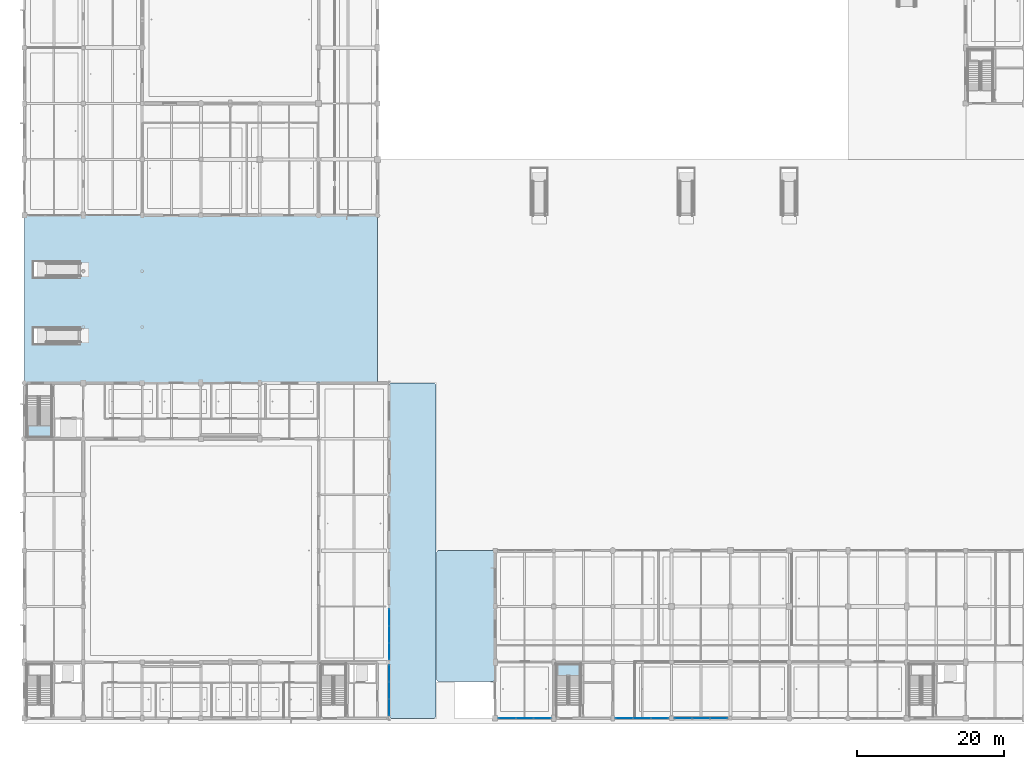
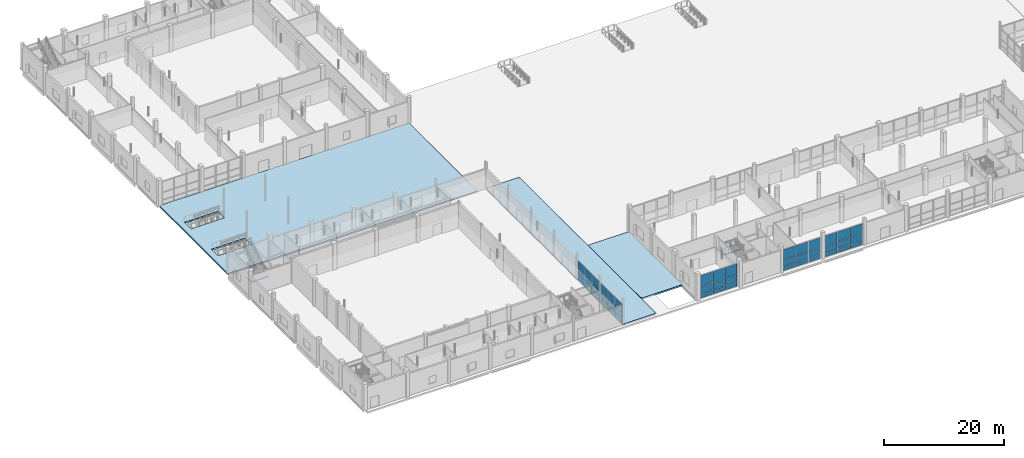
# One storey, part 49 of 126: 45 plates, 5 slabs, 7 elements without a shape of their own.
"""IFC4 building model written with IfcOpenShell, lengths in metres."""

from ifc_helpers import new_model, si_unit, direction, frame, origin, origin_2d, place, context, subcontext, project, spatial, polyline, rectangle, outline, extrude, material, layer, layer_set, type_object, element, aggregate, save


model = new_model("IFC4")

# Units and contexts
model_context = context("Model", 3, precision=1e-05, world=origin(), true_north=direction((0.0, 1.0)))
body_context = subcontext(model_context, "Body", "Model", "MODEL_VIEW")
ifc_project = project(units=[si_unit("LENGTHUNIT", "METRE"), si_unit("AREAUNIT", "SQUARE_METRE"), si_unit("VOLUMEUNIT", "CUBIC_METRE"), si_unit("PLANEANGLEUNIT", "RADIAN"), si_unit("MASSUNIT", "GRAM", prefix="KILO")], contexts=[model_context])

# Site, building, storey
site_placement = place(None, origin())
site = spatial("IfcSite", under=ifc_project, at=site_placement, CompositionType="ELEMENT")
building_placement = place(site_placement, origin())
building = spatial("IfcBuilding", under=site, at=building_placement, Name="Khelvaren Railside Concert Hall", CompositionType="ELEMENT")
storey_placement = place(building_placement, origin())
storey = spatial("IfcBuildingStorey", under=building, at=storey_placement, Name="L00", CompositionType="ELEMENT", Elevation=0.0)

# Curtain wall, plates
ifc_material_1 = material(Name="Triple-glazed solar-control glass", Category="glass")
curtain_wall_type_1 = type_object("IfcCurtainWallType", Name="CW88", PredefinedType="USERDEFINED", material=ifc_material_1)
curtain_wall_1_placement = place(storey_placement, origin())
curtain_wall_1 = element("IfcCurtainWall", 1, at=curtain_wall_1_placement, inside=storey, type_object=curtain_wall_type_1, Name="Unitised Curtain Wall CW-V1-L00-E-0", ObjectType="UNITISED CURTAIN WALL", PredefinedType="USERDEFINED")
ifc_layer_1 = layer(ifc_material_1, 0.035888671875)
ifc_layer_set_1 = layer_set([ifc_layer_1], Name="Triple-glazed solar-control glass")
plate_type = type_object("IfcPlateType", Name="CWP53", PredefinedType="CURTAIN_PANEL", material=ifc_layer_set_1)
plate_1_placement = place(storey_placement, frame((49.60009765625, 6.099609375, 0.074951171875), z_axis=(0.0, 0.0, 1.0), x_axis=(0.0, -1.0, 0.0)))
plate_1 = element("IfcPlate", 2, at=plate_1_placement, type_object=plate_type, Name="CW88 panel 1.1", PredefinedType="CURTAIN_PANEL", context=body_context, shape_type="SweptSolid", body=[
    extrude(rectangle(XDim=2.205810546875, YDim=0.035888671875, at=origin_2d()), origin(), (0.0, 0.0, 1.0), 0.83740234375),
])
plate_2_placement = place(storey_placement, frame((49.60009765625, 6.099609375, 0.987548828125), z_axis=(0.0, 0.0, 1.0), x_axis=(0.0, -1.0, 0.0)))
plate_2 = element("IfcPlate", 3, at=plate_2_placement, type_object=plate_type, Name="CW88 panel 1.2", PredefinedType="CURTAIN_PANEL", context=body_context, shape_type="SweptSolid", body=[
    extrude(rectangle(XDim=2.205810546875, YDim=0.035888671875, at=origin_2d()), origin(), (0.0, 0.0, 1.0), 1.0498046875),
])
plate_3_placement = place(storey_placement, frame((49.60009765625, 6.099609375, 2.1123046875), z_axis=(0.0, 0.0, 1.0), x_axis=(0.0, -1.0, 0.0)))
plate_3 = element("IfcPlate", 4, at=plate_3_placement, type_object=plate_type, Name="CW88 panel 1.3", PredefinedType="CURTAIN_PANEL", context=body_context, shape_type="SweptSolid", body=[
    extrude(rectangle(XDim=2.205810546875, YDim=0.035888671875, at=origin_2d()), origin(), (0.0, 0.0, 1.0), 1.802734375),
])
plate_4_placement = place(storey_placement, frame((49.60009765625, 3.800048828125, 0.074951171875), z_axis=(0.0, 0.0, 1.0), x_axis=(0.0, -1.0, 0.0)))
plate_4 = element("IfcPlate", 5, at=plate_4_placement, type_object=plate_type, Name="CW88 panel 2.1", PredefinedType="CURTAIN_PANEL", context=body_context, shape_type="SweptSolid", body=[
    extrude(rectangle(XDim=2.243408203125, YDim=0.035888671875, at=origin_2d()), origin(), (0.0, 0.0, 1.0), 0.83740234375),
])
plate_5_placement = place(storey_placement, frame((49.60009765625, 3.800048828125, 0.987548828125), z_axis=(0.0, 0.0, 1.0), x_axis=(0.0, -1.0, 0.0)))
plate_5 = element("IfcPlate", 6, at=plate_5_placement, type_object=plate_type, Name="CW88 panel 2.2", PredefinedType="CURTAIN_PANEL", context=body_context, shape_type="SweptSolid", body=[
    extrude(rectangle(XDim=2.243408203125, YDim=0.035888671875, at=origin_2d()), origin(), (0.0, 0.0, 1.0), 1.0498046875),
])
plate_6_placement = place(storey_placement, frame((49.60009765625, 3.800048828125, 2.1123046875), z_axis=(0.0, 0.0, 1.0), x_axis=(0.0, -1.0, 0.0)))
plate_6 = element("IfcPlate", 7, at=plate_6_placement, type_object=plate_type, Name="CW88 panel 2.3", PredefinedType="CURTAIN_PANEL", context=body_context, shape_type="SweptSolid", body=[
    extrude(rectangle(XDim=2.243408203125, YDim=0.035888671875, at=origin_2d()), origin(), (0.0, 0.0, 1.0), 1.802734375),
])
plate_7_placement = place(storey_placement, frame((49.60009765625, 1.50048828125, 0.074951171875), z_axis=(0.0, 0.0, 1.0), x_axis=(0.0, -1.0, 0.0)))
plate_7 = element("IfcPlate", 8, at=plate_7_placement, type_object=plate_type, Name="CW88 panel 3.1", PredefinedType="CURTAIN_PANEL", context=body_context, shape_type="SweptSolid", body=[
    extrude(rectangle(XDim=2.205810546875, YDim=0.035888671875, at=origin_2d()), origin(), (0.0, 0.0, 1.0), 0.83740234375),
])
plate_8_placement = place(storey_placement, frame((49.60009765625, 1.50048828125, 0.987548828125), z_axis=(0.0, 0.0, 1.0), x_axis=(0.0, -1.0, 0.0)))
plate_8 = element("IfcPlate", 9, at=plate_8_placement, type_object=plate_type, Name="CW88 panel 3.2", PredefinedType="CURTAIN_PANEL", context=body_context, shape_type="SweptSolid", body=[
    extrude(rectangle(XDim=2.205810546875, YDim=0.035888671875, at=origin_2d()), origin(), (0.0, 0.0, 1.0), 1.0498046875),
])
plate_9_placement = place(storey_placement, frame((49.60009765625, 1.50048828125, 2.1123046875), z_axis=(0.0, 0.0, 1.0), x_axis=(0.0, -1.0, 0.0)))
plate_9 = element("IfcPlate", 10, at=plate_9_placement, type_object=plate_type, Name="CW88 panel 3.3", PredefinedType="CURTAIN_PANEL", context=body_context, shape_type="SweptSolid", body=[
    extrude(rectangle(XDim=2.205810546875, YDim=0.035888671875, at=origin_2d()), origin(), (0.0, 0.0, 1.0), 1.802734375),
])
aggregate(curtain_wall_1, [plate_1, plate_2, plate_3, plate_4, plate_5, plate_6, plate_7, plate_8, plate_9])

curtain_wall_type_2 = type_object("IfcCurtainWallType", Name="CW14", PredefinedType="USERDEFINED", material=ifc_material_1)
curtain_wall_2_placement = place(storey_placement, origin())
curtain_wall_2 = element("IfcCurtainWall", 11, at=curtain_wall_2_placement, inside=storey, type_object=curtain_wall_type_2, Name="Unitised Curtain Wall CW-V1-L00-E-8", ObjectType="UNITISED CURTAIN WALL", PredefinedType="USERDEFINED")
plate_10_placement = place(storey_placement, frame((49.60009765625, 13.699462890625, 0.074951171875), z_axis=(0.0, 0.0, 1.0), x_axis=(0.0, -1.0, 0.0)))
plate_10 = element("IfcPlate", 12, at=plate_10_placement, type_object=plate_type, Name="CW14 panel 1.1", PredefinedType="CURTAIN_PANEL", context=body_context, shape_type="SweptSolid", body=[
    extrude(rectangle(XDim=2.205810546875, YDim=0.035888671875, at=origin_2d()), origin(), (0.0, 0.0, 1.0), 0.83740234375),
])
plate_11_placement = place(storey_placement, frame((49.60009765625, 13.699462890625, 0.987548828125), z_axis=(0.0, 0.0, 1.0), x_axis=(0.0, -1.0, 0.0)))
plate_11 = element("IfcPlate", 13, at=plate_11_placement, type_object=plate_type, Name="CW14 panel 1.2", PredefinedType="CURTAIN_PANEL", context=body_context, shape_type="SweptSolid", body=[
    extrude(rectangle(XDim=2.205810546875, YDim=0.035888671875, at=origin_2d()), origin(), (0.0, 0.0, 1.0), 1.0498046875),
])
plate_12_placement = place(storey_placement, frame((49.60009765625, 13.699462890625, 2.1123046875), z_axis=(0.0, 0.0, 1.0), x_axis=(0.0, -1.0, 0.0)))
plate_12 = element("IfcPlate", 14, at=plate_12_placement, type_object=plate_type, Name="CW14 panel 1.3", PredefinedType="CURTAIN_PANEL", context=body_context, shape_type="SweptSolid", body=[
    extrude(rectangle(XDim=2.205810546875, YDim=0.035888671875, at=origin_2d()), origin(), (0.0, 0.0, 1.0), 1.802734375),
])
plate_13_placement = place(storey_placement, frame((49.60009765625, 11.39990234375, 0.074951171875), z_axis=(0.0, 0.0, 1.0), x_axis=(0.0, -1.0, 0.0)))
plate_13 = element("IfcPlate", 15, at=plate_13_placement, type_object=plate_type, Name="CW14 panel 2.1", PredefinedType="CURTAIN_PANEL", context=body_context, shape_type="SweptSolid", body=[
    extrude(rectangle(XDim=2.243408203125, YDim=0.035888671875, at=origin_2d()), origin(), (0.0, 0.0, 1.0), 0.83740234375),
])
plate_14_placement = place(storey_placement, frame((49.60009765625, 11.39990234375, 0.987548828125), z_axis=(0.0, 0.0, 1.0), x_axis=(0.0, -1.0, 0.0)))
plate_14 = element("IfcPlate", 16, at=plate_14_placement, type_object=plate_type, Name="CW14 panel 2.2", PredefinedType="CURTAIN_PANEL", context=body_context, shape_type="SweptSolid", body=[
    extrude(rectangle(XDim=2.243408203125, YDim=0.035888671875, at=origin_2d()), origin(), (0.0, 0.0, 1.0), 1.0498046875),
])
plate_15_placement = place(storey_placement, frame((49.60009765625, 11.39990234375, 2.1123046875), z_axis=(0.0, 0.0, 1.0), x_axis=(0.0, -1.0, 0.0)))
plate_15 = element("IfcPlate", 17, at=plate_15_placement, type_object=plate_type, Name="CW14 panel 2.3", PredefinedType="CURTAIN_PANEL", context=body_context, shape_type="SweptSolid", body=[
    extrude(rectangle(XDim=2.243408203125, YDim=0.035888671875, at=origin_2d()), origin(), (0.0, 0.0, 1.0), 1.802734375),
])
plate_16_placement = place(storey_placement, frame((49.60009765625, 9.100341796875, 0.074951171875), z_axis=(0.0, 0.0, 1.0), x_axis=(0.0, -1.0, 0.0)))
plate_16 = element("IfcPlate", 18, at=plate_16_placement, type_object=plate_type, Name="CW14 panel 3.1", PredefinedType="CURTAIN_PANEL", context=body_context, shape_type="SweptSolid", body=[
    extrude(rectangle(XDim=2.205810546875, YDim=0.035888671875, at=origin_2d()), origin(), (0.0, 0.0, 1.0), 0.83740234375),
])
plate_17_placement = place(storey_placement, frame((49.60009765625, 9.100341796875, 0.987548828125), z_axis=(0.0, 0.0, 1.0), x_axis=(0.0, -1.0, 0.0)))
plate_17 = element("IfcPlate", 19, at=plate_17_placement, type_object=plate_type, Name="CW14 panel 3.2", PredefinedType="CURTAIN_PANEL", context=body_context, shape_type="SweptSolid", body=[
    extrude(rectangle(XDim=2.205810546875, YDim=0.035888671875, at=origin_2d()), origin(), (0.0, 0.0, 1.0), 1.0498046875),
])
plate_18_placement = place(storey_placement, frame((49.60009765625, 9.100341796875, 2.1123046875), z_axis=(0.0, 0.0, 1.0), x_axis=(0.0, -1.0, 0.0)))
plate_18 = element("IfcPlate", 20, at=plate_18_placement, type_object=plate_type, Name="CW14 panel 3.3", PredefinedType="CURTAIN_PANEL", context=body_context, shape_type="SweptSolid", body=[
    extrude(rectangle(XDim=2.205810546875, YDim=0.035888671875, at=origin_2d()), origin(), (0.0, 0.0, 1.0), 1.802734375),
])
aggregate(curtain_wall_2, [plate_10, plate_11, plate_12, plate_13, plate_14, plate_15, plate_16, plate_17, plate_18])

curtain_wall_type_3 = type_object("IfcCurtainWallType", Name="CW80", PredefinedType="USERDEFINED", material=ifc_material_1)
curtain_wall_3_placement = place(storey_placement, origin())
curtain_wall_3 = element("IfcCurtainWall", 21, at=curtain_wall_3_placement, inside=storey, type_object=curtain_wall_type_3, Name="Unitised Curtain Wall CW-V3-L00-S-64", ObjectType="UNITISED CURTAIN WALL", PredefinedType="USERDEFINED")
plate_19_placement = place(storey_placement, frame((70.407958984375, 0.0, 0.074951171875), z_axis=(0.0, 0.0, 1.0), x_axis=(-1.0, 0.0, 0.0)))
plate_19 = element("IfcPlate", 22, at=plate_19_placement, type_object=plate_type, Name="CW80 panel 1.1", PredefinedType="CURTAIN_PANEL", context=body_context, shape_type="SweptSolid", body=[
    extrude(rectangle(XDim=2.2890625, YDim=0.035888671875, at=origin_2d()), origin(), (0.0, 0.0, 1.0), 0.83740234375),
])
plate_20_placement = place(storey_placement, frame((70.407958984375, 0.0, 0.98779296875), z_axis=(0.0, 0.0, 1.0), x_axis=(-1.0, 0.0, 0.0)))
plate_20 = element("IfcPlate", 23, at=plate_20_placement, type_object=plate_type, Name="CW80 panel 1.2", PredefinedType="CURTAIN_PANEL", context=body_context, shape_type="SweptSolid", body=[
    extrude(rectangle(XDim=2.2890625, YDim=0.035888671875, at=origin_2d()), origin(), (0.0, 0.0, 1.0), 1.439697265625),
])
plate_21_placement = place(storey_placement, frame((70.407958984375, 0.0, 2.50244140625), z_axis=(0.0, 0.0, 1.0), x_axis=(-1.0, 0.0, 0.0)))
plate_21 = element("IfcPlate", 24, at=plate_21_placement, type_object=plate_type, Name="CW80 panel 1.3", PredefinedType="CURTAIN_PANEL", context=body_context, shape_type="SweptSolid", body=[
    extrude(rectangle(XDim=2.2890625, YDim=0.035888671875, at=origin_2d()), origin(), (0.0, 0.0, 1.0), 2.16259765625),
])
plate_22_placement = place(storey_placement, frame((68.02490234375, 0.0, 0.074951171875), z_axis=(0.0, 0.0, 1.0), x_axis=(-1.0, 0.0, 0.0)))
plate_22 = element("IfcPlate", 25, at=plate_22_placement, type_object=plate_type, Name="CW80 panel 2.1", PredefinedType="CURTAIN_PANEL", context=body_context, shape_type="SweptSolid", body=[
    extrude(rectangle(XDim=2.32666015625, YDim=0.035888671875, at=origin_2d()), origin(), (0.0, 0.0, 1.0), 0.83740234375),
])
plate_23_placement = place(storey_placement, frame((68.02490234375, 0.0, 0.98779296875), z_axis=(0.0, 0.0, 1.0), x_axis=(-1.0, 0.0, 0.0)))
plate_23 = element("IfcPlate", 26, at=plate_23_placement, type_object=plate_type, Name="CW80 panel 2.2", PredefinedType="CURTAIN_PANEL", context=body_context, shape_type="SweptSolid", body=[
    extrude(rectangle(XDim=2.32666015625, YDim=0.035888671875, at=origin_2d()), origin(), (0.0, 0.0, 1.0), 1.439697265625),
])
plate_24_placement = place(storey_placement, frame((68.02490234375, 0.0, 2.50244140625), z_axis=(0.0, 0.0, 1.0), x_axis=(-1.0, 0.0, 0.0)))
plate_24 = element("IfcPlate", 27, at=plate_24_placement, type_object=plate_type, Name="CW80 panel 2.3", PredefinedType="CURTAIN_PANEL", context=body_context, shape_type="SweptSolid", body=[
    extrude(rectangle(XDim=2.32666015625, YDim=0.035888671875, at=origin_2d()), origin(), (0.0, 0.0, 1.0), 2.16259765625),
])
plate_25_placement = place(storey_placement, frame((65.64208984375, 0.0, 0.074951171875), z_axis=(0.0, 0.0, 1.0), x_axis=(-1.0, 0.0, 0.0)))
plate_25 = element("IfcPlate", 28, at=plate_25_placement, type_object=plate_type, Name="CW80 panel 3.1", PredefinedType="CURTAIN_PANEL", context=body_context, shape_type="SweptSolid", body=[
    extrude(rectangle(XDim=2.2890625, YDim=0.035888671875, at=origin_2d()), origin(), (0.0, 0.0, 1.0), 0.83740234375),
])
plate_26_placement = place(storey_placement, frame((65.64208984375, 0.0, 0.98779296875), z_axis=(0.0, 0.0, 1.0), x_axis=(-1.0, 0.0, 0.0)))
plate_26 = element("IfcPlate", 29, at=plate_26_placement, type_object=plate_type, Name="CW80 panel 3.2", PredefinedType="CURTAIN_PANEL", context=body_context, shape_type="SweptSolid", body=[
    extrude(rectangle(XDim=2.2890625, YDim=0.035888671875, at=origin_2d()), origin(), (0.0, 0.0, 1.0), 1.439697265625),
])
plate_27_placement = place(storey_placement, frame((65.64208984375, 0.0, 2.50244140625), z_axis=(0.0, 0.0, 1.0), x_axis=(-1.0, 0.0, 0.0)))
plate_27 = element("IfcPlate", 30, at=plate_27_placement, type_object=plate_type, Name="CW80 panel 3.3", PredefinedType="CURTAIN_PANEL", context=body_context, shape_type="SweptSolid", body=[
    extrude(rectangle(XDim=2.2890625, YDim=0.035888671875, at=origin_2d()), origin(), (0.0, 0.0, 1.0), 2.16259765625),
])
aggregate(curtain_wall_3, [plate_19, plate_20, plate_21, plate_22, plate_23, plate_24, plate_25, plate_26, plate_27])

curtain_wall_type_4 = type_object("IfcCurtainWallType", Name="CW41", PredefinedType="USERDEFINED", material=ifc_material_1)
curtain_wall_4_placement = place(storey_placement, origin())
curtain_wall_4 = element("IfcCurtainWall", 31, at=curtain_wall_4_placement, inside=storey, type_object=curtain_wall_type_4, Name="Unitised Curtain Wall CW-V3-L00-S-80", ObjectType="UNITISED CURTAIN WALL", PredefinedType="USERDEFINED")
plate_28_placement = place(storey_placement, frame((86.391357421875, 0.0, 0.074951171875), z_axis=(0.0, 0.0, 1.0), x_axis=(-1.0, 0.0, 0.0)))
plate_28 = element("IfcPlate", 32, at=plate_28_placement, type_object=plate_type, Name="CW41 panel 1.1", PredefinedType="CURTAIN_PANEL", context=body_context, shape_type="SweptSolid", body=[
    extrude(rectangle(XDim=2.322509765625, YDim=0.035888671875, at=origin_2d()), origin(), (0.0, 0.0, 1.0), 0.83740234375),
])
plate_29_placement = place(storey_placement, frame((86.391357421875, 0.0, 0.987548828125), z_axis=(0.0, 0.0, 1.0), x_axis=(-1.0, 0.0, 0.0)))
plate_29 = element("IfcPlate", 33, at=plate_29_placement, type_object=plate_type, Name="CW41 panel 1.2", PredefinedType="CURTAIN_PANEL", context=body_context, shape_type="SweptSolid", body=[
    extrude(rectangle(XDim=2.322509765625, YDim=0.035888671875, at=origin_2d()), origin(), (0.0, 0.0, 1.0), 1.28369140625),
])
plate_30_placement = place(storey_placement, frame((86.391357421875, 0.0, 2.34619140625), z_axis=(0.0, 0.0, 1.0), x_axis=(-1.0, 0.0, 0.0)))
plate_30 = element("IfcPlate", 34, at=plate_30_placement, type_object=plate_type, Name="CW41 panel 1.3", PredefinedType="CURTAIN_PANEL", context=body_context, shape_type="SweptSolid", body=[
    extrude(rectangle(XDim=2.322509765625, YDim=0.035888671875, at=origin_2d()), origin(), (0.0, 0.0, 1.0), 2.018798828125),
])
plate_31_placement = place(storey_placement, frame((83.97509765625, 0.0, 0.074951171875), z_axis=(0.0, 0.0, 1.0), x_axis=(-1.0, 0.0, 0.0)))
plate_31 = element("IfcPlate", 35, at=plate_31_placement, type_object=plate_type, Name="CW41 panel 2.1", PredefinedType="CURTAIN_PANEL", context=body_context, shape_type="SweptSolid", body=[
    extrude(rectangle(XDim=2.360107421875, YDim=0.035888671875, at=origin_2d()), origin(), (0.0, 0.0, 1.0), 0.83740234375),
])
plate_32_placement = place(storey_placement, frame((83.97509765625, 0.0, 0.987548828125), z_axis=(0.0, 0.0, 1.0), x_axis=(-1.0, 0.0, 0.0)))
plate_32 = element("IfcPlate", 36, at=plate_32_placement, type_object=plate_type, Name="CW41 panel 2.2", PredefinedType="CURTAIN_PANEL", context=body_context, shape_type="SweptSolid", body=[
    extrude(rectangle(XDim=2.360107421875, YDim=0.035888671875, at=origin_2d()), origin(), (0.0, 0.0, 1.0), 1.28369140625),
])
plate_33_placement = place(storey_placement, frame((83.97509765625, 0.0, 2.34619140625), z_axis=(0.0, 0.0, 1.0), x_axis=(-1.0, 0.0, 0.0)))
plate_33 = element("IfcPlate", 37, at=plate_33_placement, type_object=plate_type, Name="CW41 panel 2.3", PredefinedType="CURTAIN_PANEL", context=body_context, shape_type="SweptSolid", body=[
    extrude(rectangle(XDim=2.360107421875, YDim=0.035888671875, at=origin_2d()), origin(), (0.0, 0.0, 1.0), 2.018798828125),
])
plate_34_placement = place(storey_placement, frame((81.558837890625, 0.0, 0.074951171875), z_axis=(0.0, 0.0, 1.0), x_axis=(-1.0, 0.0, 0.0)))
plate_34 = element("IfcPlate", 38, at=plate_34_placement, type_object=plate_type, Name="CW41 panel 3.1", PredefinedType="CURTAIN_PANEL", context=body_context, shape_type="SweptSolid", body=[
    extrude(rectangle(XDim=2.322509765625, YDim=0.035888671875, at=origin_2d()), origin(), (0.0, 0.0, 1.0), 0.83740234375),
])
plate_35_placement = place(storey_placement, frame((81.558837890625, 0.0, 0.987548828125), z_axis=(0.0, 0.0, 1.0), x_axis=(-1.0, 0.0, 0.0)))
plate_35 = element("IfcPlate", 39, at=plate_35_placement, type_object=plate_type, Name="CW41 panel 3.2", PredefinedType="CURTAIN_PANEL", context=body_context, shape_type="SweptSolid", body=[
    extrude(rectangle(XDim=2.322509765625, YDim=0.035888671875, at=origin_2d()), origin(), (0.0, 0.0, 1.0), 1.28369140625),
])
plate_36_placement = place(storey_placement, frame((81.558837890625, 0.0, 2.34619140625), z_axis=(0.0, 0.0, 1.0), x_axis=(-1.0, 0.0, 0.0)))
plate_36 = element("IfcPlate", 40, at=plate_36_placement, type_object=plate_type, Name="CW41 panel 3.3", PredefinedType="CURTAIN_PANEL", context=body_context, shape_type="SweptSolid", body=[
    extrude(rectangle(XDim=2.322509765625, YDim=0.035888671875, at=origin_2d()), origin(), (0.0, 0.0, 1.0), 2.018798828125),
])
aggregate(curtain_wall_4, [plate_28, plate_29, plate_30, plate_31, plate_32, plate_33, plate_34, plate_35, plate_36])

curtain_wall_5_placement = place(storey_placement, origin())
curtain_wall_5 = element("IfcCurtainWall", 41, at=curtain_wall_5_placement, inside=storey, type_object=curtain_wall_type_1, Name="Unitised Curtain Wall CW-V3-L00-S-88", ObjectType="UNITISED CURTAIN WALL", PredefinedType="USERDEFINED")
plate_37_placement = place(storey_placement, frame((94.441162109375, 0.0, 0.074951171875), z_axis=(0.0, 0.0, 1.0), x_axis=(-1.0, 0.0, 0.0)))
plate_37 = element("IfcPlate", 42, at=plate_37_placement, type_object=plate_type, Name="CW88 panel 1.1", PredefinedType="CURTAIN_PANEL", context=body_context, shape_type="SweptSolid", body=[
    extrude(rectangle(XDim=2.322509765625, YDim=0.035888671875, at=origin_2d()), origin(), (0.0, 0.0, 1.0), 0.83740234375),
])
plate_38_placement = place(storey_placement, frame((94.441162109375, 0.0, 0.987548828125), z_axis=(0.0, 0.0, 1.0), x_axis=(-1.0, 0.0, 0.0)))
plate_38 = element("IfcPlate", 43, at=plate_38_placement, type_object=plate_type, Name="CW88 panel 1.2", PredefinedType="CURTAIN_PANEL", context=body_context, shape_type="SweptSolid", body=[
    extrude(rectangle(XDim=2.322509765625, YDim=0.035888671875, at=origin_2d()), origin(), (0.0, 0.0, 1.0), 1.28369140625),
])
plate_39_placement = place(storey_placement, frame((94.441162109375, 0.0, 2.34619140625), z_axis=(0.0, 0.0, 1.0), x_axis=(-1.0, 0.0, 0.0)))
plate_39 = element("IfcPlate", 44, at=plate_39_placement, type_object=plate_type, Name="CW88 panel 1.3", PredefinedType="CURTAIN_PANEL", context=body_context, shape_type="SweptSolid", body=[
    extrude(rectangle(XDim=2.322509765625, YDim=0.035888671875, at=origin_2d()), origin(), (0.0, 0.0, 1.0), 2.018798828125),
])
plate_40_placement = place(storey_placement, frame((92.02490234375, 0.0, 0.074951171875), z_axis=(0.0, 0.0, 1.0), x_axis=(-1.0, 0.0, 0.0)))
plate_40 = element("IfcPlate", 45, at=plate_40_placement, type_object=plate_type, Name="CW88 panel 2.1", PredefinedType="CURTAIN_PANEL", context=body_context, shape_type="SweptSolid", body=[
    extrude(rectangle(XDim=2.360107421875, YDim=0.035888671875, at=origin_2d()), origin(), (0.0, 0.0, 1.0), 0.83740234375),
])
plate_41_placement = place(storey_placement, frame((92.02490234375, 0.0, 0.987548828125), z_axis=(0.0, 0.0, 1.0), x_axis=(-1.0, 0.0, 0.0)))
plate_41 = element("IfcPlate", 46, at=plate_41_placement, type_object=plate_type, Name="CW88 panel 2.2", PredefinedType="CURTAIN_PANEL", context=body_context, shape_type="SweptSolid", body=[
    extrude(rectangle(XDim=2.360107421875, YDim=0.035888671875, at=origin_2d()), origin(), (0.0, 0.0, 1.0), 1.28369140625),
])
plate_42_placement = place(storey_placement, frame((92.02490234375, 0.0, 2.34619140625), z_axis=(0.0, 0.0, 1.0), x_axis=(-1.0, 0.0, 0.0)))
plate_42 = element("IfcPlate", 47, at=plate_42_placement, type_object=plate_type, Name="CW88 panel 2.3", PredefinedType="CURTAIN_PANEL", context=body_context, shape_type="SweptSolid", body=[
    extrude(rectangle(XDim=2.360107421875, YDim=0.035888671875, at=origin_2d()), origin(), (0.0, 0.0, 1.0), 2.018798828125),
])
plate_43_placement = place(storey_placement, frame((89.608642578125, 0.0, 0.074951171875), z_axis=(0.0, 0.0, 1.0), x_axis=(-1.0, 0.0, 0.0)))
plate_43 = element("IfcPlate", 48, at=plate_43_placement, type_object=plate_type, Name="CW88 panel 3.1", PredefinedType="CURTAIN_PANEL", context=body_context, shape_type="SweptSolid", body=[
    extrude(rectangle(XDim=2.322509765625, YDim=0.035888671875, at=origin_2d()), origin(), (0.0, 0.0, 1.0), 0.83740234375),
])
plate_44_placement = place(storey_placement, frame((89.608642578125, 0.0, 0.987548828125), z_axis=(0.0, 0.0, 1.0), x_axis=(-1.0, 0.0, 0.0)))
plate_44 = element("IfcPlate", 49, at=plate_44_placement, type_object=plate_type, Name="CW88 panel 3.2", PredefinedType="CURTAIN_PANEL", context=body_context, shape_type="SweptSolid", body=[
    extrude(rectangle(XDim=2.322509765625, YDim=0.035888671875, at=origin_2d()), origin(), (0.0, 0.0, 1.0), 1.28369140625),
])
plate_45_placement = place(storey_placement, frame((89.608642578125, 0.0, 2.34619140625), z_axis=(0.0, 0.0, 1.0), x_axis=(-1.0, 0.0, 0.0)))
plate_45 = element("IfcPlate", 50, at=plate_45_placement, type_object=plate_type, Name="CW88 panel 3.3", PredefinedType="CURTAIN_PANEL", context=body_context, shape_type="SweptSolid", body=[
    extrude(rectangle(XDim=2.322509765625, YDim=0.035888671875, at=origin_2d()), origin(), (0.0, 0.0, 1.0), 2.018798828125),
])
aggregate(curtain_wall_5, [plate_37, plate_38, plate_39, plate_40, plate_41, plate_42, plate_43, plate_44, plate_45])

# Slabs
ifc_material_2 = material(Name="Concrete C40/50", Category="concrete")
ifc_layer_2 = layer(ifc_material_2, 0.320068359375)
ifc_layer_set_2 = layer_set([ifc_layer_2], Name="Concrete C40/50")
slab_type_1 = type_object("IfcSlabType", Name="FS35", PredefinedType="FLOOR", material=ifc_layer_set_2)
slab_1_placement = place(storey_placement, frame((0.0, 0.0, -0.320068359375)))
element("IfcSlab", 51, at=slab_1_placement, inside=storey, type_object=slab_type_1, Name="V1 Sheltered Arrival Plaza Slab", PredefinedType="FLOOR", context=body_context, shape_type="SweptSolid", body=[
    extrude(outline(polyline([(49.85009765625, 0.0), (55.75, 0.0), (56.0, 0.25), (56.0, 45.35009765625), (55.75, 45.60009765625), (49.85009765625, 45.60009765625), (49.60009765625, 45.35009765625), (49.60009765625, 0.25), (49.85009765625, 0.0)])), origin(), (0.0, 0.0, 1.0), 0.320068359375),
])
ifc_material_3 = material(Name="Concrete C35/45", Category="concrete")
ifc_layer_3 = layer(ifc_material_3, 0.300048828125)
ifc_layer_set_3 = layer_set([ifc_layer_3], Name="Concrete C35/45")
slab_type_2 = type_object("IfcSlabType", Name="FS48", PredefinedType="FLOOR", material=ifc_layer_set_3)
slab_2_placement = place(storey_placement, frame((0.0, 0.0, -0.300048828125)))
element("IfcSlab", 52, at=slab_2_placement, inside=storey, type_object=slab_type_2, Name="Exterior Court and Service Loop Apron APRON-COURT-W", PredefinedType="FLOOR", context=body_context, shape_type="SweptSolid", body=[
    extrude(outline(polyline([(56.27001953125, 5.0), (63.72998046875, 5.0), (63.97998046875, 5.25), (63.97998046875, 22.550048828125), (63.72998046875, 22.800048828125), (56.27001953125, 22.800048828125), (56.02001953125, 22.550048828125), (56.02001953125, 5.25), (56.27001953125, 5.0)])), origin(), (0.0, 0.0, 1.0), 0.300048828125),
])
slab_3_placement = place(storey_placement, frame((0.0, 0.0, -0.300048828125)))
element("IfcSlab", 53, at=slab_3_placement, inside=storey, type_object=slab_type_2, Name="Exterior Court and Service Loop Apron APRON-COURT-NW", PredefinedType="FLOOR", context=body_context, shape_type="SweptSolid", body=[
    extrude(outline(polyline([(0.02001953125, 45.6201171875), (47.97998046875, 45.6201171875), (47.97998046875, 68.3798828125), (0.02001953125, 68.3798828125), (0.02001953125, 45.6201171875)]), holes=[polyline([(1.199951171875, 50.89990234375), (7.60009765625, 50.89990234375), (7.60009765625, 53.10009765625), (1.199951171875, 53.10009765625), (1.199951171875, 50.89990234375)]), polyline([(1.199951171875, 59.89990234375), (7.60009765625, 59.89990234375), (7.60009765625, 62.10009765625), (1.199951171875, 62.10009765625), (1.199951171875, 59.89990234375)])]), origin(), (0.0, 0.0, 1.0), 0.300048828125),
])

# Stair, slab
stair_type_1 = type_object("IfcStairType", Name="ST31", PredefinedType="HALF_TURN_STAIR", material=ifc_material_2)
stair_1_placement = place(storey_placement, origin())
stair_1 = element("IfcStair", 54, at=stair_1_placement, inside=storey, type_object=stair_type_1, Name="L00 Core Exit Stair ST-11", PredefinedType="HALF_TURN_STAIR")
ifc_layer_4 = layer(ifc_material_2, 0.199951171875)
ifc_layer_set_4 = layer_set([ifc_layer_4], Name="Concrete C40/50")
slab_type_3 = type_object("IfcSlabType", Name="LND67", PredefinedType="LANDING", material=ifc_layer_set_4)
slab_4_placement = place(storey_placement, frame((0.0, 0.0, 2.5)))
slab_4 = element("IfcSlab", 55, at=slab_4_placement, type_object=slab_type_3, Name="ST-11 landing 1", PredefinedType="LANDING", context=body_context, shape_type="SweptSolid", body=[
    extrude(outline(polyline([(0.300048828125, 39.840087890625), (0.300048828125, 38.239990234375), (3.699951171875, 38.239990234375), (3.699951171875, 39.840087890625), (0.300048828125, 39.840087890625)])), origin(), (0.0, 0.0, 1.0), 0.199951171875),
])
aggregate(stair_1, [slab_4])

stair_type_2 = type_object("IfcStairType", Name="ST11", PredefinedType="HALF_TURN_STAIR", material=ifc_material_2)
stair_2_placement = place(storey_placement, origin())
stair_2 = element("IfcStair", 56, at=stair_2_placement, inside=storey, type_object=stair_type_2, Name="L00 Core Exit Stair ST-05", PredefinedType="HALF_TURN_STAIR")
slab_5_placement = place(storey_placement, frame((0.0, 0.0, 2.5)))
slab_5 = element("IfcSlab", 57, at=slab_5_placement, type_object=slab_type_3, Name="ST-05 landing 1", PredefinedType="LANDING", context=body_context, shape_type="SweptSolid", body=[
    extrude(outline(polyline([(75.6201171875, 5.760009765625), (75.6201171875, 7.360107421875), (72.300048828125, 7.360107421875), (72.300048828125, 5.760009765625), (75.6201171875, 5.760009765625)])), origin(), (0.0, 0.0, 1.0), 0.199951171875),
])
aggregate(stair_2, [slab_5])

save(model, "model.ifc")
